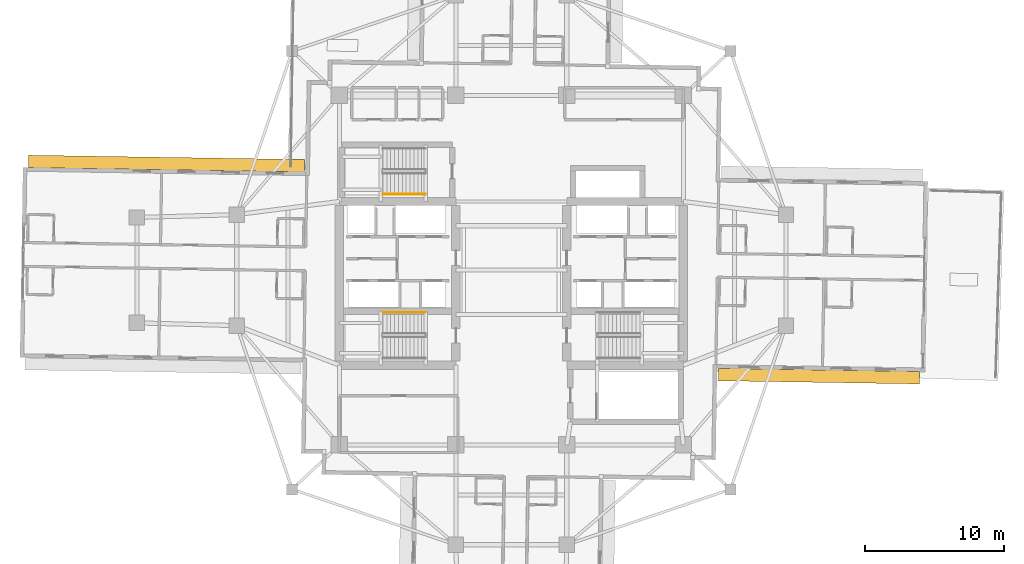
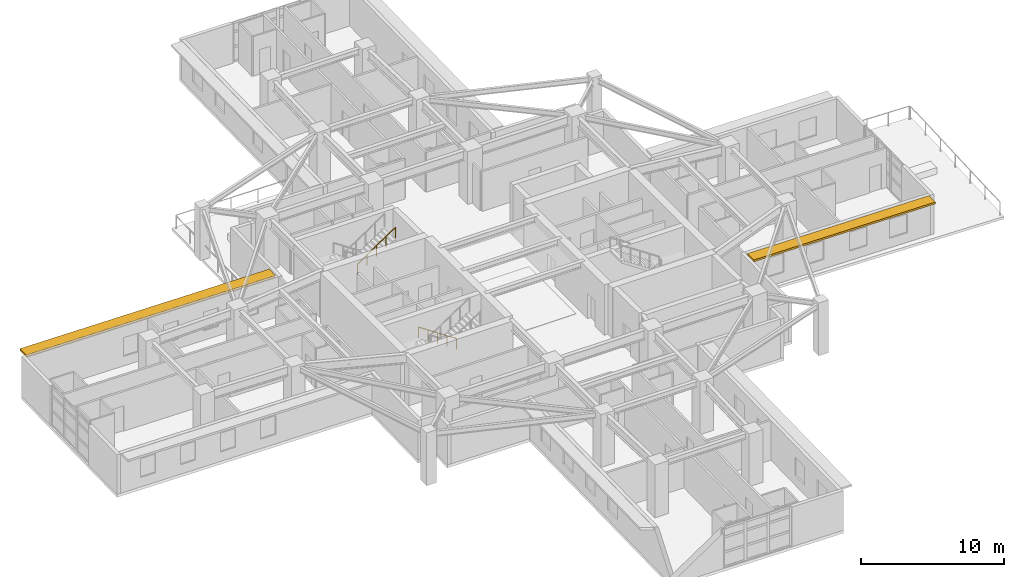
# One storey, part 20 of 22: 2 railings, 2 shading devices.
"""IFC4 building model written with IfcOpenShell, lengths in metres."""

from ifc_helpers import new_model, si_unit, direction, frame, origin, origin_2d, place, context, subcontext, project, spatial, rectangle, circle, extrude, material, layer, layer_set, type_object, element, save


model = new_model("IFC4")

# Units and contexts
model_context = context("Model", 3, precision=1e-05, world=origin(), true_north=direction((0.0, 1.0)))
body_context = subcontext(model_context, "Body", "Model", "MODEL_VIEW")
ifc_project = project(units=[si_unit("LENGTHUNIT", "METRE"), si_unit("AREAUNIT", "SQUARE_METRE"), si_unit("VOLUMEUNIT", "CUBIC_METRE"), si_unit("PLANEANGLEUNIT", "RADIAN"), si_unit("MASSUNIT", "GRAM", prefix="KILO")], contexts=[model_context])

# Site, building, storey
site_placement = place(None, origin())
site = spatial("IfcSite", under=ifc_project, at=site_placement, CompositionType="ELEMENT")
building_placement = place(site_placement, origin())
building = spatial("IfcBuilding", under=site, at=building_placement, Name="Qingluan Cross Belvedere", CompositionType="ELEMENT")
storey_placement = place(building_placement, frame((0.0, 0.0, 100.199951171875)))
storey = spatial("IfcBuildingStorey", under=building, at=storey_placement, Name="L25", CompositionType="ELEMENT", Elevation=100.199951171875)

# Shading devices
ifc_material_1 = material(Name="Precast concrete C45", Category="concrete")
ifc_layer = layer(ifc_material_1, 0.159912109375, Name="ConcreteSunshadeBand_900")
ifc_layer_set = layer_set([ifc_layer], Name="Precast concrete C45")
shading_device_type = type_object("IfcShadingDeviceType", Name="ConcreteSunshadeBand_900", PredefinedType="USERDEFINED", material=ifc_layer_set)
shading_device_1_placement = place(storey_placement, frame((22.172607421875, -7.63916015625, 3.2001953125), z_axis=(0.0, 0.0, 1.0), x_axis=(0.999876630106, -0.015707468526, 0.0)))
element("IfcShadingDevice", 1, at=shading_device_1_placement, inside=storey, type_object=shading_device_type, Name="Concrete SUNSHADE L25-EA", ObjectType="SUNSHADE", PredefinedType="USERDEFINED", context=body_context, shape_type="SweptSolid", body=[
    extrude(rectangle(XDim=14.5, YDim=0.89990234375, at=origin_2d()), origin(), (0.0, 0.0, 1.0), 0.159912109375),
])
shading_device_2_placement = place(storey_placement, frame((-24.872314453125, 7.681640625, 3.2001953125), z_axis=(0.0, 0.0, 1.0), x_axis=(-0.999876567432, 0.015711457647, 0.0)))
element("IfcShadingDevice", 2, at=shading_device_2_placement, inside=storey, type_object=shading_device_type, Name="Concrete SUNSHADE L25-WA", ObjectType="SUNSHADE", PredefinedType="USERDEFINED", context=body_context, shape_type="SweptSolid", body=[
    extrude(rectangle(XDim=19.89990234375, YDim=0.89990234375, at=origin_2d()), origin(), (0.0, 0.0, 1.0), 0.159912109375),
])

# Railings
ifc_material_2 = material(Name="Brushed stainless steel tubular handrail", Category="steel")
railing_type = type_object("IfcRailingType", Name="StairPitchHandrail_900", PredefinedType="HANDRAIL", material=ifc_material_2)
railing_1_placement = place(storey_placement, frame((-6.179931640625, -3.050048828125, 0.1875)))
element("IfcRailing", 3, at=railing_1_placement, inside=storey, type_object=railing_type, Name="L25 ST1 stair handrail 1", PredefinedType="HANDRAIL", context=body_context, shape_type="SweptSolid", body=[
    extrude(circle(Radius=0.02392578125, at=origin_2d()), frame((0.0, 0.0, 0.8759765625), z_axis=(-0.830913701846, 0.0, 0.55640131208), x_axis=(0.0, -1.0, 0.0)), (0.0, 0.0, 1.0), 3.706787109375),
    extrude(circle(Radius=0.02099609375, at=origin_2d()), origin(), (0.0, 0.0, 1.0), 0.851806640625),
    extrude(circle(Radius=0.02099609375, at=origin_2d()), frame((-0.77001953125, 0.0, 0.515625)), (0.0, 0.0, 1.0), 0.851806640625),
    extrude(circle(Radius=0.02099609375, at=origin_2d()), frame((-1.5400390625, 0.0, 1.03125)), (0.0, 0.0, 1.0), 0.851806640625),
    extrude(circle(Radius=0.02099609375, at=origin_2d()), frame((-2.31005859375, 0.0, 1.546875)), (0.0, 0.0, 1.0), 0.851806640625),
    extrude(circle(Radius=0.02099609375, at=origin_2d()), frame((-3.080078125, 0.0, 2.0625)), (0.0, 0.0, 1.0), 0.851806640625),
])
railing_2_placement = place(storey_placement, frame((-9.260009765625, 5.469970703125, 2.4375)))
element("IfcRailing", 4, at=railing_2_placement, inside=storey, type_object=railing_type, Name="L25 ST3 stair handrail 2", PredefinedType="HANDRAIL", context=body_context, shape_type="SweptSolid", body=[
    extrude(circle(Radius=0.02392578125, at=origin_2d()), frame((0.0, 0.0, 0.8759765625), z_axis=(0.830913701846, 0.0, 0.55640131208), x_axis=(0.0, 1.0, 0.0)), (0.0, 0.0, 1.0), 3.706787109375),
    extrude(circle(Radius=0.02099609375, at=origin_2d()), origin(), (0.0, 0.0, 1.0), 0.851806640625),
    extrude(circle(Radius=0.02099609375, at=origin_2d()), frame((0.77001953125, 0.0, 0.515625)), (0.0, 0.0, 1.0), 0.851806640625),
    extrude(circle(Radius=0.02099609375, at=origin_2d()), frame((1.5400390625, 0.0, 1.03125)), (0.0, 0.0, 1.0), 0.851806640625),
    extrude(circle(Radius=0.02099609375, at=origin_2d()), frame((2.31005859375, 0.0, 1.546875)), (0.0, 0.0, 1.0), 0.851806640625),
    extrude(circle(Radius=0.02099609375, at=origin_2d()), frame((3.080078125, 0.0, 2.0625)), (0.0, 0.0, 1.0), 0.851806640625),
])

save(model, "model.ifc")
